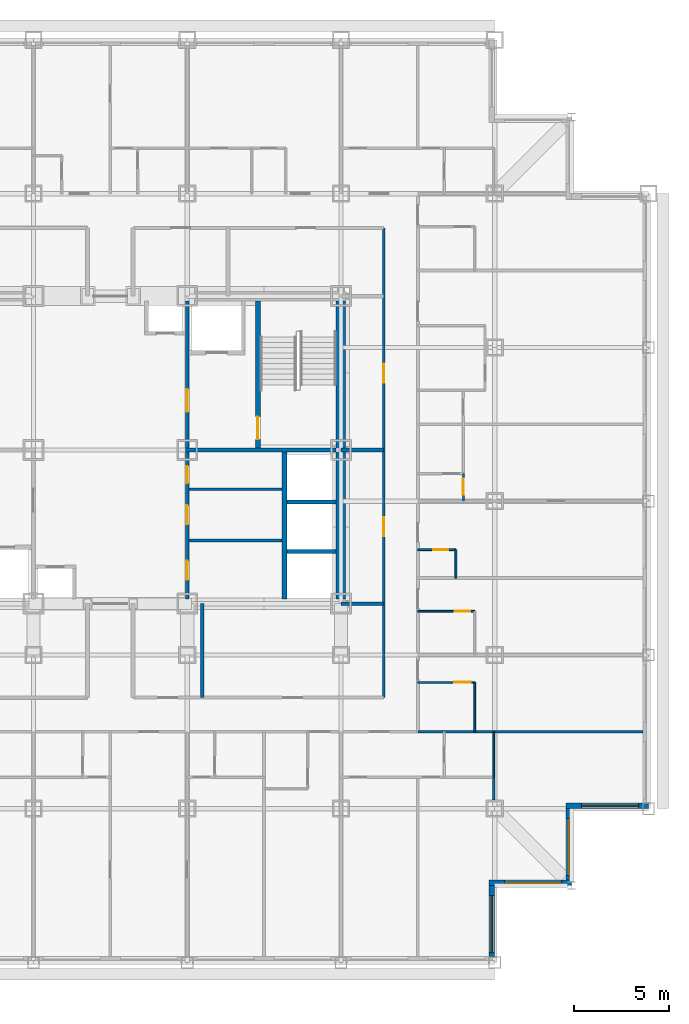
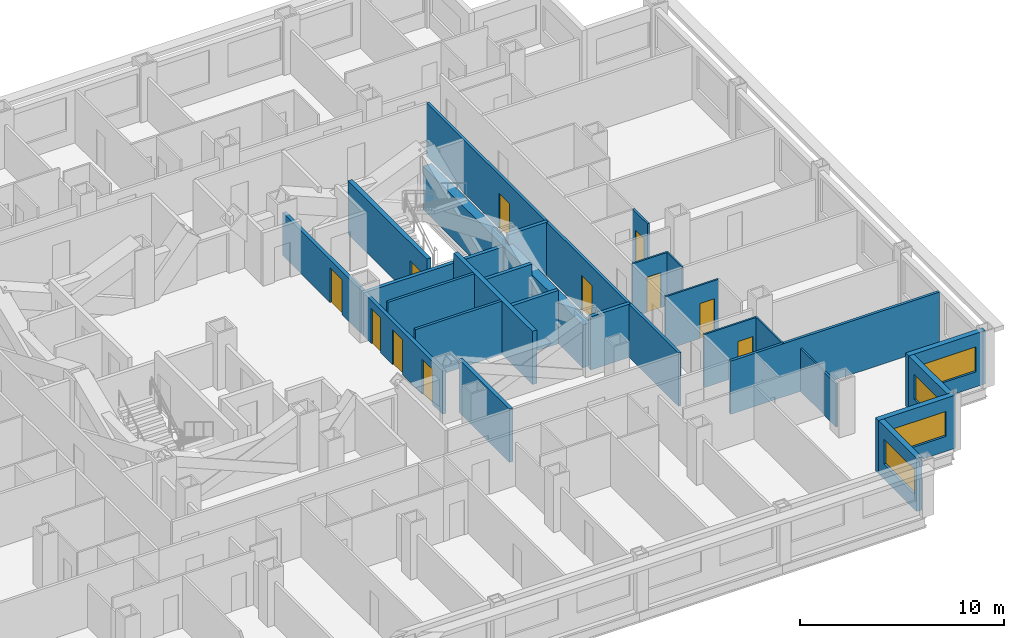
# One storey, part 7 of 12: 27 walls, 11 doors, 4 windows, 15 openings.
"""IFC4 building model written with IfcOpenShell, lengths in metres."""

from ifc_helpers import new_model, si_unit, direction, frame, frame_2d, origin, place, context, subcontext, project, spatial, rectangle, extrude, material, layer, layer_set, type_object, element, fill, save


model = new_model("IFC4")

# Units and contexts
model_context = context("Model", 3, precision=1e-05, world=origin(), true_north=direction((0.0, 1.0)))
body_context = subcontext(model_context, "Body", "Model", "MODEL_VIEW")
ifc_project = project(units=[si_unit("LENGTHUNIT", "METRE"), si_unit("AREAUNIT", "SQUARE_METRE"), si_unit("VOLUMEUNIT", "CUBIC_METRE"), si_unit("PLANEANGLEUNIT", "RADIAN"), si_unit("MASSUNIT", "GRAM", prefix="KILO")], contexts=[model_context])

# Site, building, storey
site_placement = place(None, origin())
site = spatial("IfcSite", under=ifc_project, at=site_placement, CompositionType="ELEMENT")
building_placement = place(site_placement, origin())
building = spatial("IfcBuilding", under=site, at=building_placement, Name="Kopane Lantern Tower", CompositionType="ELEMENT")
storey_placement = place(building_placement, frame((0.0, 0.0, 117.0)))
storey = spatial("IfcBuildingStorey", under=building, at=storey_placement, Name="L29", CompositionType="ELEMENT", Elevation=117.0)

# Wall, opening, door
ifc_material_1 = material(Name="Gypsum board on steel studs", Category="steel")
ifc_layer_1 = layer(ifc_material_1, 0.1201171875)
ifc_layer_set_1 = layer_set([ifc_layer_1], Name="APARTMENT INTERNAL WALL 120")
wall_type_1 = type_object("IfcWallType", Name="APARTMENT INTERNAL WALL 120", PredefinedType="PARTITIONING", material=ifc_layer_set_1)
wall_1_placement = place(storey_placement, frame((46.949951171875, 31.159912109375, 0.0), z_axis=(0.0, 0.0, 1.0), x_axis=(0.0, -1.0, 0.0)))
wall_1 = element("IfcWall", 1, at=wall_1_placement, inside=storey, type_object=wall_type_1, Name="Apartment Internal Wall 120 L29", PredefinedType="PARTITIONING", context=body_context, shape_type="SweptSolid", body=[
    extrude(rectangle(XDim=1.4599609375, YDim=0.1201171875, at=frame_2d((0.72998046875, 0.0))), origin(), (0.0, 0.0, 1.0), 3.18994140625),
])
opening_1_placement = place(wall_1_placement, frame((0.27490234375, 0.0, 0.0)))
opening_1 = element("IfcOpeningElement", 2, at=opening_1_placement, cuts=wall_1, Name="Opening L29-080", PredefinedType="OPENING", context=body_context, shape_type="SweptSolid", body=[
    extrude(rectangle(XDim=0.85009765625, YDim=2.10009765625, at=frame_2d((0.425048828125, 1.050048828125))), frame((0.0, 0.070068359375, 0.0), z_axis=(0.0, -1.0, 0.0), x_axis=(1.0, 0.0, 0.0)), (0.0, 0.0, 1.0), 0.14013671875),
])
ifc_material_2 = material(Name="Timber door set", Category="wood")
door_type_1 = type_object("IfcDoorType", Name="DOOR D4 850x2100", OperationType="SINGLE_SWING_LEFT", PredefinedType="DOOR", material=ifc_material_2)
door_1_placement = place(opening_1_placement, origin())
door_1 = element("IfcDoor", 3, at=door_1_placement, inside=storey, type_object=door_type_1, Name="Door L29-080", OperationType="SINGLE_SWING_RIGHT", OverallHeight=2.10009765625, OverallWidth=0.85009765625, PredefinedType="DOOR", context=body_context, shape_type="SweptSolid", body=[
    extrude(rectangle(XDim=0.85009765625, YDim=2.10009765625, at=frame_2d((0.425048828125, 1.050048828125))), frame((0.0, 0.02490234375, 0.0), z_axis=(0.0, -1.0, 0.0), x_axis=(1.0, 0.0, 0.0)), (0.0, 0.0, 1.0), 0.050048828125),
])
fill(opening_1, door_1)

# Walls
wall_2_placement = place(storey_placement, frame((48.550048828125, 15.14990234375, 0.0), z_axis=(0.0, 0.0, 1.0), x_axis=(0.0, -1.0, 0.0)))
element("IfcWall", 4, at=wall_2_placement, inside=storey, type_object=wall_type_1, Name="Apartment Internal Wall 120 L29", PredefinedType="PARTITIONING", context=body_context, shape_type="SweptSolid", body=[
    extrude(rectangle(XDim=1.199951171875, YDim=0.1201171875, at=frame_2d((0.60009765625, 0.0))), origin(), (0.0, 0.0, 1.0), 2.577880859375),
])
ifc_material_3 = material(Name="Moisture-resistant board on steel studs", Category="steel")
ifc_layer_2 = layer(ifc_material_3, 0.10009765625)
ifc_layer_set_2 = layer_set([ifc_layer_2], Name="BATHROOM WALL 100")
wall_type_2 = type_object("IfcWallType", Name="BATHROOM WALL 100", PredefinedType="PARTITIONING", material=ifc_layer_set_2)
wall_3_placement = place(storey_placement, frame((47.550048828125, 17.550048828125, 0.0), z_axis=(0.0, 0.0, 1.0), x_axis=(0.0, 1.0, 0.0)))
element("IfcWall", 5, at=wall_3_placement, inside=storey, type_object=wall_type_2, Name="Bathroom Wall 100 L29", PredefinedType="PARTITIONING", context=body_context, shape_type="SweptSolid", body=[
    extrude(rectangle(XDim=2.599853515625, YDim=0.10009765625, at=frame_2d((1.2998046875, 0.0))), origin(), (0.0, 0.0, 1.0), 3.18994140625),
])

# Wall, opening, door
wall_4_placement = place(storey_placement, frame((44.550048828125, 20.14990234375, 0.0), z_axis=(0.0, 0.0, 1.0), x_axis=(1.0, 0.0, 0.0)))
wall_4 = element("IfcWall", 6, at=wall_4_placement, inside=storey, type_object=wall_type_2, Name="Bathroom Wall 100 L29", PredefinedType="PARTITIONING", context=body_context, shape_type="SweptSolid", body=[
    extrude(rectangle(XDim=3.0, YDim=0.10009765625, at=frame_2d((1.5, 0.0))), origin(), (0.0, 0.0, 1.0), 3.18994140625),
])
opening_2_placement = place(wall_4_placement, frame((1.925048828125, 0.0, 0.0)))
opening_2 = element("IfcOpeningElement", 7, at=opening_2_placement, cuts=wall_4, Name="Opening L29-046", PredefinedType="OPENING", context=body_context, shape_type="SweptSolid", body=[
    extrude(rectangle(XDim=0.85009765625, YDim=2.10009765625, at=frame_2d((0.425048828125, 1.050048828125))), frame((0.0, 0.06005859375, 0.0), z_axis=(0.0, -1.0, 0.0), x_axis=(1.0, 0.0, 0.0)), (0.0, 0.0, 1.0), 0.1201171875),
])
door_2_placement = place(opening_2_placement, origin())
door_2 = element("IfcDoor", 8, at=door_2_placement, inside=storey, type_object=door_type_1, Name="Door L29-046", OperationType="SINGLE_SWING_LEFT", OverallHeight=2.10009765625, OverallWidth=0.85009765625, PredefinedType="DOOR", context=body_context, shape_type="SweptSolid", body=[
    extrude(rectangle(XDim=0.85009765625, YDim=2.10009765625, at=frame_2d((0.425048828125, 1.050048828125))), frame((0.0, 0.02490234375, 0.0), z_axis=(0.0, -1.0, 0.0), x_axis=(1.0, 0.0, 0.0)), (0.0, 0.0, 1.0), 0.050048828125),
])
fill(opening_2, door_2)

wall_5_placement = place(storey_placement, frame((44.550048828125, 23.89990234375, 0.0), z_axis=(0.0, 0.0, 1.0), x_axis=(1.0, 0.0, 0.0)))
wall_5 = element("IfcWall", 9, at=wall_5_placement, inside=storey, type_object=wall_type_2, Name="Bathroom Wall 100 L29", PredefinedType="PARTITIONING", context=body_context, shape_type="SweptSolid", body=[
    extrude(rectangle(XDim=3.0, YDim=0.10009765625, at=frame_2d((1.5, 0.0))), origin(), (0.0, 0.0, 1.0), 3.18994140625),
])
opening_3_placement = place(wall_5_placement, frame((1.949951171875, 0.0, 0.0)))
opening_3 = element("IfcOpeningElement", 10, at=opening_3_placement, cuts=wall_5, Name="Opening L29-048", PredefinedType="OPENING", context=body_context, shape_type="SweptSolid", body=[
    extrude(rectangle(XDim=0.800048828125, YDim=2.10009765625, at=frame_2d((0.39990234375, 1.050048828125))), frame((0.0, 0.06005859375, 0.0), z_axis=(0.0, -1.0, 0.0), x_axis=(1.0, 0.0, 0.0)), (0.0, 0.0, 1.0), 0.1201171875),
])
ifc_material_4 = material(Name="Timber door set", Category="wood")
door_type_2 = type_object("IfcDoorType", Name="DOOR D2 800x2100", OperationType="SINGLE_SWING_LEFT", PredefinedType="DOOR", material=ifc_material_4)
door_3_placement = place(opening_3_placement, origin())
door_3 = element("IfcDoor", 11, at=door_3_placement, inside=storey, type_object=door_type_2, Name="Door L29-048", OperationType="SINGLE_SWING_LEFT", OverallHeight=2.10009765625, OverallWidth=0.800048828125, PredefinedType="DOOR", context=body_context, shape_type="SweptSolid", body=[
    extrude(rectangle(XDim=0.800048828125, YDim=2.10009765625, at=frame_2d((0.39990234375, 1.050048828125))), frame((0.0, 0.02490234375, 0.0), z_axis=(0.0, -1.0, 0.0), x_axis=(1.0, 0.0, 0.0)), (0.0, 0.0, 1.0), 0.050048828125),
])
fill(opening_3, door_3)

# Wall
wall_6_placement = place(storey_placement, frame((46.550048828125, 25.64990234375, 0.0), z_axis=(0.0, 0.0, 1.0), x_axis=(0.0, 1.0, 0.0)))
element("IfcWall", 12, at=wall_6_placement, inside=storey, type_object=wall_type_2, Name="Bathroom Wall 100 L29", PredefinedType="PARTITIONING", context=body_context, shape_type="SweptSolid", body=[
    extrude(rectangle(XDim=1.5, YDim=0.10009765625, at=frame_2d((0.75, 0.0))), origin(), (0.0, 0.0, 1.0), 3.18994140625),
])

# Wall, opening, door
wall_7_placement = place(storey_placement, frame((44.550048828125, 27.14990234375, 0.0), z_axis=(0.0, 0.0, 1.0), x_axis=(1.0, 0.0, 0.0)))
wall_7 = element("IfcWall", 13, at=wall_7_placement, inside=storey, type_object=wall_type_2, Name="Bathroom Wall 100 L29", PredefinedType="PARTITIONING", context=body_context, shape_type="SweptSolid", body=[
    extrude(rectangle(XDim=2.0, YDim=0.10009765625, at=frame_2d((1.0, 0.0))), origin(), (0.0, 0.0, 1.0), 3.18994140625),
])
opening_4_placement = place(wall_7_placement, frame((0.800048828125, 0.0, 0.0)))
opening_4 = element("IfcOpeningElement", 14, at=opening_4_placement, cuts=wall_7, Name="Opening L29-050", PredefinedType="OPENING", context=body_context, shape_type="SweptSolid", body=[
    extrude(rectangle(XDim=0.800048828125, YDim=2.10009765625, at=frame_2d((0.39990234375, 1.050048828125))), frame((0.0, 0.06005859375, 0.0), z_axis=(0.0, -1.0, 0.0), x_axis=(1.0, 0.0, 0.0)), (0.0, 0.0, 1.0), 0.1201171875),
])
door_4_placement = place(opening_4_placement, origin())
door_4 = element("IfcDoor", 15, at=door_4_placement, inside=storey, type_object=door_type_2, Name="Door L29-050", OperationType="SINGLE_SWING_LEFT", OverallHeight=2.10009765625, OverallWidth=0.800048828125, PredefinedType="DOOR", context=body_context, shape_type="SweptSolid", body=[
    extrude(rectangle(XDim=0.800048828125, YDim=2.10009765625, at=frame_2d((0.39990234375, 1.050048828125))), frame((0.0, 0.02490234375, 0.0), z_axis=(0.0, -1.0, 0.0), x_axis=(1.0, 0.0, 0.0)), (0.0, 0.0, 1.0), 0.050048828125),
])
fill(opening_4, door_4)

# Walls
wall_8_placement = place(storey_placement, frame((48.550048828125, 17.550048828125, 0.0), z_axis=(0.0, 0.0, 1.0), x_axis=(0.0, -1.0, 0.0)))
element("IfcWall", 16, at=wall_8_placement, inside=storey, type_object=wall_type_2, Name="Bathroom Wall 100 L29", PredefinedType="PARTITIONING", context=body_context, shape_type="SweptSolid", body=[
    extrude(rectangle(XDim=2.400146484375, YDim=0.10009765625, at=frame_2d((1.2001953125, 0.0))), origin(), (0.0, 0.0, 1.0), 2.577880859375),
])
ifc_material_5 = material(Name="Gypsum shaft wall EI 120", Category="gypsum")
ifc_layer_3 = layer(ifc_material_5, 0.5)
ifc_layer_set_3 = layer_set([ifc_layer_3], Name="CORE PERIMETER WALL 500 EI 120")
wall_type_3 = type_object("IfcWallType", Name="CORE PERIMETER WALL 500 EI 120", PredefinedType="SOLIDWALL", material=ifc_layer_set_3)
wall_9_placement = place(storey_placement, frame((40.5, 24.550048828125, 0.0), z_axis=(0.0, 0.0, 1.0), x_axis=(0.0, 1.0, 0.0)))
element("IfcWall", 17, at=wall_9_placement, inside=storey, type_object=wall_type_3, Name="Core shaft wall L29 PE", PredefinedType="SOLIDWALL", context=body_context, shape_type="SweptSolid", body=[
    extrude(rectangle(XDim=15.699951171875, YDim=0.5, at=frame_2d((7.85009765625, 0.0))), origin(), (0.0, 0.0, 1.0), 2.577880859375),
])
ifc_material_6 = material(Name="Gypsum partition EI 60", Category="gypsum")
ifc_layer_4 = layer(ifc_material_6, 0.14990234375)
ifc_layer_set_4 = layer_set([ifc_layer_4], Name="CORE ROOM PARTITION 150 EI 60")
wall_type_4 = type_object("IfcWallType", Name="CORE ROOM PARTITION 150 EI 60", PredefinedType="PARTITIONING", material=ifc_layer_set_4)
for number, where, z_axis, x_axis, name in (
    (18, (32.5, 27.625, 0.0), (0.0, 0.0, 1.0), (1.0, 0.0, 0.0), "Core room partition L29 E1"),
    (19, (32.5, 30.324951171875, 0.0), (0.0, 0.0, 1.0), (1.0, 0.0, 0.0), "Core room partition L29 E2"),
):
    element("IfcWall", number, at=place(storey_placement, frame(where, z_axis=z_axis, x_axis=x_axis)), inside=storey, type_object=wall_type_4, Name=name, PredefinedType="PARTITIONING", context=body_context, shape_type="SweptSolid", body=[
        extrude(rectangle(XDim=4.89990234375, YDim=0.14990234375, at=frame_2d((2.449951171875, 0.0))), origin(), (0.0, 0.0, 1.0), 3.18994140625),
    ])

# Wall, openings, doors
ifc_material_7 = material(Name="Gypsum partition EI 60", Category="gypsum")
ifc_layer_5 = layer(ifc_material_7, 0.199951171875)
ifc_layer_set_5 = layer_set([ifc_layer_5], Name="CORE ROOM WALL 200 EI 60")
wall_type_5 = type_object("IfcWallType", Name="CORE ROOM WALL 200 EI 60", PredefinedType="PARTITIONING", material=ifc_layer_set_5)
wall_10_placement = place(storey_placement, frame((32.39990234375, 24.550048828125, 0.0), z_axis=(0.0, 0.0, 1.0), x_axis=(0.0, 1.0, 0.0)))
wall_10 = element("IfcWall", 20, at=wall_10_placement, inside=storey, type_object=wall_type_5, Name="Core room wall L29 XE", PredefinedType="PARTITIONING", context=body_context, shape_type="SweptSolid", body=[
    extrude(rectangle(XDim=7.75, YDim=0.199951171875, at=frame_2d((3.875, 0.0))), origin(), (0.0, 0.0, 1.0), 2.577880859375),
])
opening_5_placement = place(wall_10_placement, frame((1.0, 0.0, 0.0)))
opening_5 = element("IfcOpeningElement", 21, at=opening_5_placement, cuts=wall_10, Name="Opening 29.C20", PredefinedType="OPENING", context=body_context, shape_type="SweptSolid", body=[
    extrude(rectangle(XDim=1.0, YDim=2.10009765625, at=frame_2d((0.5, 1.050048828125))), frame((0.0, 0.10986328125, 0.0), z_axis=(0.0, -1.0, 0.0), x_axis=(1.0, 0.0, 0.0)), (0.0, 0.0, 1.0), 0.219970703125),
])
opening_6_placement = place(wall_10_placement, frame((3.925048828125, 0.0, 0.0)))
opening_6 = element("IfcOpeningElement", 22, at=opening_6_placement, cuts=wall_10, Name="Opening 29.C21", PredefinedType="OPENING", context=body_context, shape_type="SweptSolid", body=[
    extrude(rectangle(XDim=1.0, YDim=2.10009765625, at=frame_2d((0.5, 1.050048828125))), frame((0.0, 0.10986328125, 0.0), z_axis=(0.0, -1.0, 0.0), x_axis=(1.0, 0.0, 0.0)), (0.0, 0.0, 1.0), 0.219970703125),
])
opening_7_placement = place(wall_10_placement, frame((6.10009765625, 0.0, 0.0)))
opening_7 = element("IfcOpeningElement", 23, at=opening_7_placement, cuts=wall_10, Name="Opening 29.C22", PredefinedType="OPENING", context=body_context, shape_type="SweptSolid", body=[
    extrude(rectangle(XDim=0.89990234375, YDim=2.10009765625, at=frame_2d((0.449951171875, 1.050048828125))), frame((0.0, 0.10986328125, 0.0), z_axis=(0.0, -1.0, 0.0), x_axis=(1.0, 0.0, 0.0)), (0.0, 0.0, 1.0), 0.219970703125),
])
ifc_material_8 = material(Name="Steel door set", Category="steel")
door_type_3 = type_object("IfcDoorType", Name="CORE ROOM DOOR 1000x2100 FD30S", OperationType="SINGLE_SWING_RIGHT", PredefinedType="DOOR", material=ifc_material_8)
door_5_placement = place(opening_5_placement, origin())
door_5 = element("IfcDoor", 24, at=door_5_placement, inside=storey, type_object=door_type_3, Name="Door Butler pantry L29", OperationType="SINGLE_SWING_LEFT", OverallHeight=2.10009765625, OverallWidth=1.0, PredefinedType="DOOR", context=body_context, shape_type="SweptSolid", body=[
    extrude(rectangle(XDim=1.0, YDim=2.10009765625, at=frame_2d((0.5, 1.050048828125))), frame((0.0, 0.02490234375, 0.0), z_axis=(0.0, -1.0, 0.0), x_axis=(1.0, 0.0, 0.0)), (0.0, 0.0, 1.0), 0.050048828125),
])
fill(opening_5, door_5)
door_6_placement = place(opening_6_placement, origin())
door_6 = element("IfcDoor", 25, at=door_6_placement, inside=storey, type_object=door_type_3, Name="Door Ice and vending room L29", OperationType="SINGLE_SWING_LEFT", OverallHeight=2.10009765625, OverallWidth=1.0, PredefinedType="DOOR", context=body_context, shape_type="SweptSolid", body=[
    extrude(rectangle(XDim=1.0, YDim=2.10009765625, at=frame_2d((0.5, 1.050048828125))), frame((0.0, 0.02490234375, 0.0), z_axis=(0.0, -1.0, 0.0), x_axis=(1.0, 0.0, 0.0)), (0.0, 0.0, 1.0), 0.050048828125),
])
fill(opening_6, door_6)
ifc_material_9 = material(Name="Steel door set", Category="steel")
door_type_4 = type_object("IfcDoorType", Name="CORE ROOM DOOR 900x2100 FD60", OperationType="SINGLE_SWING_LEFT", PredefinedType="DOOR", material=ifc_material_9)
door_7_placement = place(opening_7_placement, origin())
door_7 = element("IfcDoor", 26, at=door_7_placement, inside=storey, type_object=door_type_4, Name="Door IT room L29", OperationType="SINGLE_SWING_RIGHT", OverallHeight=2.10009765625, OverallWidth=0.89990234375, PredefinedType="DOOR", context=body_context, shape_type="SweptSolid", body=[
    extrude(rectangle(XDim=0.89990234375, YDim=2.10009765625, at=frame_2d((0.449951171875, 1.050048828125))), frame((0.0, 0.02490234375, 0.0), z_axis=(0.0, -1.0, 0.0), x_axis=(1.0, 0.0, 0.0)), (0.0, 0.0, 1.0), 0.050048828125),
])
fill(opening_7, door_7)

# Wall
ifc_material_10 = material(Name="Gypsum shaft wall EI 120", Category="gypsum")
ifc_layer_6 = layer(ifc_material_10, 0.25)
ifc_layer_set_6 = layer_set([ifc_layer_6], Name="CORE SHAFT WALL 250 EI 120")
wall_type_6 = type_object("IfcWallType", Name="CORE SHAFT WALL 250 EI 120", PredefinedType="SOLIDWALL", material=ifc_layer_set_6)
wall_11_placement = place(storey_placement, frame((37.52490234375, 24.550048828125, 0.0), z_axis=(0.0, 0.0, 1.0), x_axis=(0.0, 1.0, 0.0)))
element("IfcWall", 27, at=wall_11_placement, inside=storey, type_object=wall_type_6, Name="Core shaft wall L29 XLR", PredefinedType="SOLIDWALL", context=body_context, shape_type="SweptSolid", body=[
    extrude(rectangle(XDim=7.75, YDim=0.25, at=frame_2d((3.875, 0.0))), origin(), (0.0, 0.0, 1.0), 3.18994140625),
])

# Wall, opening, door
wall_12_placement = place(storey_placement, frame((36.125, 32.5, 0.0), z_axis=(0.0, 0.0, 1.0), x_axis=(0.0, 1.0, 0.0)))
wall_12 = element("IfcWall", 28, at=wall_12_placement, inside=storey, type_object=wall_type_6, Name="Core shaft wall L29 XST2", PredefinedType="SOLIDWALL", context=body_context, shape_type="SweptSolid", body=[
    extrude(rectangle(XDim=7.75, YDim=0.25, at=frame_2d((3.875, 0.0))), origin(), (0.0, 0.0, 1.0), 3.18994140625),
])
opening_8_placement = place(wall_12_placement, frame((0.449951171875, 0.0, 0.0)))
opening_8 = element("IfcOpeningElement", 29, at=opening_8_placement, cuts=wall_12, Name="Opening 29.SD2", PredefinedType="OPENING", context=body_context, shape_type="SweptSolid", body=[
    extrude(rectangle(XDim=1.199951171875, YDim=2.10009765625, at=frame_2d((0.60009765625, 1.050048828125))), frame((0.0, 0.135009765625, 0.0), z_axis=(0.0, -1.0, 0.0), x_axis=(1.0, 0.0, 0.0)), (0.0, 0.0, 1.0), 0.27001953125),
])
ifc_material_11 = material(Name="Steel door set", Category="steel")
door_type_5 = type_object("IfcDoorType", Name="STAIR DOOR 1200x2100 FD60S", OperationType="SINGLE_SWING_LEFT", PredefinedType="DOOR", material=ifc_material_11)
door_8_placement = place(opening_8_placement, origin())
door_8 = element("IfcDoor", 30, at=door_8_placement, inside=storey, type_object=door_type_5, Name="Stair door ST2 L29", OperationType="SINGLE_SWING_RIGHT", OverallHeight=2.10009765625, OverallWidth=1.199951171875, PredefinedType="DOOR", context=body_context, shape_type="SweptSolid", body=[
    extrude(rectangle(XDim=1.199951171875, YDim=2.10009765625, at=frame_2d((0.60009765625, 1.050048828125))), frame((0.0, 0.02490234375, 0.0), z_axis=(0.0, -1.0, 0.0), x_axis=(1.0, 0.0, 0.0)), (0.0, 0.0, 1.0), 0.050048828125),
])
fill(opening_8, door_8)

# Wall, openings, doors
ifc_material_12 = material(Name="Gypsum board on steel studs", Category="steel")
ifc_layer_7 = layer(ifc_material_12, 0.14990234375)
ifc_layer_set_7 = layer_set([ifc_layer_7], Name="CORRIDOR WALL 150 EI 60")
wall_type_7 = type_object("IfcWallType", Name="CORRIDOR WALL 150 EI 60", PredefinedType="PARTITIONING", material=ifc_layer_set_7)
wall_13_placement = place(storey_placement, frame((42.75, 19.35009765625, 0.0), z_axis=(0.0, 0.0, 1.0), x_axis=(0.0, 1.0, 0.0)))
wall_13 = element("IfcWall", 31, at=wall_13_placement, inside=storey, type_object=wall_type_7, Name="Corridor Wall 150 Ei 60 L29", PredefinedType="PARTITIONING", context=body_context, shape_type="SweptSolid", body=[
    extrude(rectangle(XDim=24.75, YDim=0.14990234375, at=frame_2d((12.375, 0.0))), origin(), (0.0, 0.0, 1.0), 3.18994140625),
])
opening_9_placement = place(wall_13_placement, frame((8.5, 0.0, 0.0)))
opening_9 = element("IfcOpeningElement", 32, at=opening_9_placement, cuts=wall_13, Name="Opening L29-003", PredefinedType="OPENING", context=body_context, shape_type="SweptSolid", body=[
    extrude(rectangle(XDim=1.0, YDim=2.10009765625, at=frame_2d((0.5, 1.050048828125))), frame((0.0, 0.0849609375, 0.0), z_axis=(0.0, -1.0, 0.0), x_axis=(1.0, 0.0, 0.0)), (0.0, 0.0, 1.0), 0.169921875),
])
opening_10_placement = place(wall_13_placement, frame((16.60009765625, 0.0, 0.0)))
opening_10 = element("IfcOpeningElement", 33, at=opening_10_placement, cuts=wall_13, Name="Opening L29-004", PredefinedType="OPENING", context=body_context, shape_type="SweptSolid", body=[
    extrude(rectangle(XDim=1.0, YDim=2.10009765625, at=frame_2d((0.5, 1.050048828125))), frame((0.0, 0.0849609375, 0.0), z_axis=(0.0, -1.0, 0.0), x_axis=(1.0, 0.0, 0.0)), (0.0, 0.0, 1.0), 0.169921875),
])
ifc_material_13 = material(Name="Steel door set", Category="steel")
door_type_6 = type_object("IfcDoorType", Name="DOOR D5 1000x2100 FD60", OperationType="SINGLE_SWING_LEFT", PredefinedType="DOOR", material=ifc_material_13)
door_9_placement = place(opening_9_placement, origin())
door_9 = element("IfcDoor", 34, at=door_9_placement, inside=storey, type_object=door_type_6, Name="Door L29-003", OperationType="SINGLE_SWING_LEFT", OverallHeight=2.10009765625, OverallWidth=1.0, PredefinedType="DOOR", context=body_context, shape_type="SweptSolid", body=[
    extrude(rectangle(XDim=1.0, YDim=2.10009765625, at=frame_2d((0.5, 1.050048828125))), frame((0.0, 0.02490234375, 0.0), z_axis=(0.0, -1.0, 0.0), x_axis=(1.0, 0.0, 0.0)), (0.0, 0.0, 1.0), 0.050048828125),
])
fill(opening_9, door_9)
door_10_placement = place(opening_10_placement, origin())
door_10 = element("IfcDoor", 35, at=door_10_placement, inside=storey, type_object=door_type_6, Name="Door L29-004", OperationType="SINGLE_SWING_RIGHT", OverallHeight=2.10009765625, OverallWidth=1.0, PredefinedType="DOOR", context=body_context, shape_type="SweptSolid", body=[
    extrude(rectangle(XDim=1.0, YDim=2.10009765625, at=frame_2d((0.5, 1.050048828125))), frame((0.0, 0.02490234375, 0.0), z_axis=(0.0, -1.0, 0.0), x_axis=(1.0, 0.0, 0.0)), (0.0, 0.0, 1.0), 0.050048828125),
])
fill(opening_10, door_10)

# Wall
ifc_material_14 = material(Name="Gypsum board on steel studs", Category="steel")
ifc_layer_8 = layer(ifc_material_14, 0.14990234375)
ifc_layer_set_8 = layer_set([ifc_layer_8], Name="DEMISING WALL 150 EI 60")
wall_type_8 = type_object("IfcWallType", Name="DEMISING WALL 150 EI 60", PredefinedType="PARTITIONING", material=ifc_layer_set_8)
wall_14_placement = place(storey_placement, frame((44.550048828125, 17.550048828125, 0.0), z_axis=(0.0, 0.0, 1.0), x_axis=(1.0, 0.0, 0.0)))
element("IfcWall", 36, at=wall_14_placement, inside=storey, type_object=wall_type_8, Name="Demising Wall 150 Ei 60 L29", PredefinedType="PARTITIONING", context=body_context, shape_type="SweptSolid", body=[
    extrude(rectangle(XDim=11.849853515625, YDim=0.14990234375, at=frame_2d((5.9248046875, 0.0))), origin(), (0.0, 0.0, 1.0), 3.18994140625),
])

# Wall, opening, window
ifc_material_15 = material(Name="Terracotta rainscreen on light steel framing", Category="masonry")
ifc_layer_9 = layer(ifc_material_15, 0.300048828125)
ifc_layer_set_9 = layer_set([ifc_layer_9], Name="EXTERNAL WALL EW1 300 TERRACOTTA")
wall_type_9 = type_object("IfcWallType", Name="EXTERNAL WALL EW1 300 TERRACOTTA", PredefinedType="SOLIDWALL", material=ifc_layer_set_9)
wall_15_placement = place(storey_placement, frame((48.449951171875, 5.699951171875, 0.0), z_axis=(0.0, 0.0, 1.0), x_axis=(0.0, 1.0, 0.0)))
wall_15 = element("IfcWall", 37, at=wall_15_placement, inside=storey, type_object=wall_type_9, Name="External wall E L29", PredefinedType="SOLIDWALL", context=body_context, shape_type="SweptSolid", body=[
    extrude(rectangle(XDim=3.75, YDim=0.300048828125, at=frame_2d((1.875, 0.0))), origin(), (0.0, 0.0, 1.0), 3.18994140625),
])
opening_11_placement = place(wall_15_placement, frame((0.22509765625, 0.0, 0.89990234375)))
opening_11 = element("IfcOpeningElement", 38, at=opening_11_placement, cuts=wall_15, Name="Opening WR300150", PredefinedType="OPENING", context=body_context, shape_type="SweptSolid", body=[
    extrude(rectangle(XDim=3.0, YDim=1.5, at=frame_2d((1.5, 0.75))), frame((0.0, 0.159912109375, 0.0), z_axis=(0.0, -1.0, 0.0), x_axis=(1.0, 0.0, 0.0)), (0.0, 0.0, 1.0), 0.320068359375),
])
ifc_material_16 = material(Name="Aluminium and clear glass", Category="aluminium")
window_type = type_object("IfcWindowType", Name="RIBBON WINDOW WR300150 3000x1500", PartitioningType="SINGLE_PANEL", PredefinedType="WINDOW", material=ifc_material_16)
window_1_placement = place(opening_11_placement, origin())
window_1 = element("IfcWindow", 39, at=window_1_placement, inside=storey, type_object=window_type, Name="Window E L29", OverallHeight=1.5, OverallWidth=3.0, PartitioningType="SINGLE_PANEL", PredefinedType="WINDOW", context=body_context, shape_type="SweptSolid", body=[
    extrude(rectangle(XDim=3.0, YDim=1.5, at=frame_2d((1.5, 0.75))), frame((0.0, 0.030029296875, 0.0), z_axis=(0.0, -1.0, 0.0), x_axis=(1.0, 0.0, 0.0)), (0.0, 0.0, 1.0), 0.06005859375),
])
fill(opening_11, window_1)

wall_16_placement = place(storey_placement, frame((48.300048828125, 9.60009765625, 0.0), z_axis=(0.0, 0.0, 1.0), x_axis=(1.0, 0.0, 0.0)))
wall_16 = element("IfcWall", 40, at=wall_16_placement, inside=storey, type_object=wall_type_9, Name="External wall S L29", PredefinedType="SOLIDWALL", context=body_context, shape_type="SweptSolid", body=[
    extrude(rectangle(XDim=4.349853515625, YDim=0.300048828125, at=frame_2d((2.1748046875, 0.0))), origin(), (0.0, 0.0, 1.0), 3.18994140625),
])
opening_12_placement = place(wall_16_placement, frame((0.824951171875, 0.0, 0.89990234375)))
opening_12 = element("IfcOpeningElement", 41, at=opening_12_placement, cuts=wall_16, Name="Opening WR300150", PredefinedType="OPENING", context=body_context, shape_type="SweptSolid", body=[
    extrude(rectangle(XDim=3.0, YDim=1.5, at=frame_2d((1.5, 0.75))), frame((0.0, 0.159912109375, 0.0), z_axis=(0.0, -1.0, 0.0), x_axis=(1.0, 0.0, 0.0)), (0.0, 0.0, 1.0), 0.320068359375),
])
window_2_placement = place(opening_12_placement, origin())
window_2 = element("IfcWindow", 42, at=window_2_placement, inside=storey, type_object=window_type, Name="Window S L29", OverallHeight=1.5, OverallWidth=3.0, PartitioningType="SINGLE_PANEL", PredefinedType="WINDOW", context=body_context, shape_type="SweptSolid", body=[
    extrude(rectangle(XDim=3.0, YDim=1.5, at=frame_2d((1.5, 0.75))), frame((0.0, 0.030029296875, 0.0), z_axis=(0.0, -1.0, 0.0), x_axis=(1.0, 0.0, 0.0)), (0.0, 0.0, 1.0), 0.06005859375),
])
fill(opening_12, window_2)

wall_17_placement = place(storey_placement, frame((52.5, 9.75, 0.0), z_axis=(0.0, 0.0, 1.0), x_axis=(0.0, 1.0, 0.0)))
wall_17 = element("IfcWall", 43, at=wall_17_placement, inside=storey, type_object=wall_type_9, Name="External wall E L29", PredefinedType="SOLIDWALL", context=body_context, shape_type="SweptSolid", body=[
    extrude(rectangle(XDim=3.75, YDim=0.300048828125, at=frame_2d((1.875, 0.0))), origin(), (0.0, 0.0, 1.0), 3.18994140625),
])
opening_13_placement = place(wall_17_placement, frame((0.22509765625, 0.0, 0.89990234375)))
opening_13 = element("IfcOpeningElement", 44, at=opening_13_placement, cuts=wall_17, Name="Opening WR300150", PredefinedType="OPENING", context=body_context, shape_type="SweptSolid", body=[
    extrude(rectangle(XDim=3.0, YDim=1.5, at=frame_2d((1.5, 0.75))), frame((0.0, 0.159912109375, 0.0), z_axis=(0.0, -1.0, 0.0), x_axis=(1.0, 0.0, 0.0)), (0.0, 0.0, 1.0), 0.320068359375),
])
window_3_placement = place(opening_13_placement, origin())
window_3 = element("IfcWindow", 45, at=window_3_placement, inside=storey, type_object=window_type, Name="Window E L29", OverallHeight=1.5, OverallWidth=3.0, PartitioningType="SINGLE_PANEL", PredefinedType="WINDOW", context=body_context, shape_type="SweptSolid", body=[
    extrude(rectangle(XDim=3.0, YDim=1.5, at=frame_2d((1.5, 0.75))), frame((0.0, 0.030029296875, 0.0), z_axis=(0.0, -1.0, 0.0), x_axis=(1.0, 0.0, 0.0)), (0.0, 0.0, 1.0), 0.06005859375),
])
fill(opening_13, window_3)

wall_18_placement = place(storey_placement, frame((52.35009765625, 13.64990234375, 0.0), z_axis=(0.0, 0.0, 1.0), x_axis=(1.0, 0.0, 0.0)))
wall_18 = element("IfcWall", 46, at=wall_18_placement, inside=storey, type_object=wall_type_9, Name="External wall S L29", PredefinedType="SOLIDWALL", context=body_context, shape_type="SweptSolid", body=[
    extrude(rectangle(XDim=4.349853515625, YDim=0.300048828125, at=frame_2d((2.1748046875, 0.0))), origin(), (0.0, 0.0, 1.0), 3.18994140625),
])
opening_14_placement = place(wall_18_placement, frame((0.824951171875, 0.0, 0.89990234375)))
opening_14 = element("IfcOpeningElement", 47, at=opening_14_placement, cuts=wall_18, Name="Opening WR300150", PredefinedType="OPENING", context=body_context, shape_type="SweptSolid", body=[
    extrude(rectangle(XDim=3.0, YDim=1.5, at=frame_2d((1.5, 0.75))), frame((0.0, 0.159912109375, 0.0), z_axis=(0.0, -1.0, 0.0), x_axis=(1.0, 0.0, 0.0)), (0.0, 0.0, 1.0), 0.320068359375),
])
window_4_placement = place(opening_14_placement, origin())
window_4 = element("IfcWindow", 48, at=window_4_placement, inside=storey, type_object=window_type, Name="Window S L29", OverallHeight=1.5, OverallWidth=3.0, PartitioningType="SINGLE_PANEL", PredefinedType="WINDOW", context=body_context, shape_type="SweptSolid", body=[
    extrude(rectangle(XDim=3.0, YDim=1.5, at=frame_2d((1.5, 0.75))), frame((0.0, 0.030029296875, 0.0), z_axis=(0.0, -1.0, 0.0), x_axis=(1.0, 0.0, 0.0)), (0.0, 0.0, 1.0), 0.06005859375),
])
fill(opening_14, window_4)

# Walls
ifc_material_17 = material(Name="Concrete masonry", Category="masonry")
ifc_layer_10 = layer(ifc_material_17, 0.199951171875)
ifc_layer_set_10 = layer_set([ifc_layer_10], Name="PLANT ROOM WALL 200 EI 120")
wall_type_10 = type_object("IfcWallType", Name="PLANT ROOM WALL 200 EI 120", PredefinedType="SOLIDWALL", material=ifc_layer_set_10)
wall_19_placement = place(storey_placement, frame((40.5, 32.39990234375, 0.0), z_axis=(0.0, 0.0, 1.0), x_axis=(1.0, 0.0, 0.0)))
element("IfcWall", 49, at=wall_19_placement, inside=storey, type_object=wall_type_10, Name="Plant Room Wall 200 Ei 120 L29", PredefinedType="SOLIDWALL", context=body_context, shape_type="SweptSolid", body=[
    extrude(rectangle(XDim=2.25, YDim=0.199951171875, at=frame_2d((1.125, 0.0))), origin(), (0.0, 0.0, 1.0), 3.18994140625),
])
wall_20_placement = place(storey_placement, frame((33.186279296875, 19.35009765625, 0.0), z_axis=(0.0, 0.0, 1.0), x_axis=(0.0, 1.0, 0.0)))
element("IfcWall", 50, at=wall_20_placement, inside=storey, type_object=wall_type_10, Name="Plant Room Wall 200 Ei 120 L29", PredefinedType="SOLIDWALL", context=body_context, shape_type="SweptSolid", body=[
    extrude(rectangle(XDim=4.949951171875, YDim=0.199951171875, at=frame_2d((2.47509765625, 0.0))), origin(), (0.0, 0.0, 1.0), 3.18994140625),
])
wall_21_placement = place(storey_placement, frame((40.5, 24.300048828125, 0.0), z_axis=(0.0, 0.0, 1.0), x_axis=(1.0, 0.0, 0.0)))
element("IfcWall", 51, at=wall_21_placement, inside=storey, type_object=wall_type_10, Name="Plant Room Wall 200 Ei 120 L29", PredefinedType="SOLIDWALL", context=body_context, shape_type="SweptSolid", body=[
    extrude(rectangle(XDim=2.25, YDim=0.199951171875, at=frame_2d((1.125, 0.0))), origin(), (0.0, 0.0, 1.0), 3.18994140625),
])
ifc_material_18 = material(Name="Gypsum shaft wall EI 120", Category="gypsum")
ifc_layer_11 = layer(ifc_material_18, 0.199951171875)
ifc_layer_set_11 = layer_set([ifc_layer_11], Name="SHAFT WALL 200 EI 120")
wall_type_11 = type_object("IfcWallType", Name="SHAFT WALL 200 EI 120", PredefinedType="SOLIDWALL", material=ifc_layer_set_11)
wall_22_placement = place(storey_placement, frame((32.300048828125, 32.39990234375, 0.0), z_axis=(0.0, 0.0, 1.0), x_axis=(1.0, 0.0, 0.0)))
element("IfcWall", 52, at=wall_22_placement, inside=storey, type_object=wall_type_11, Name="Core shaft wall L29 Y324E", PredefinedType="SOLIDWALL", context=body_context, shape_type="SweptSolid", body=[
    extrude(rectangle(XDim=7.949951171875, YDim=0.199951171875, at=frame_2d((3.97509765625, 0.0))), origin(), (0.0, 0.0, 1.0), 2.577880859375),
])

# Wall, opening, door
wall_23_placement = place(storey_placement, frame((32.39990234375, 32.5, 0.0), z_axis=(0.0, 0.0, 1.0), x_axis=(0.0, 1.0, 0.0)))
wall_23 = element("IfcWall", 53, at=wall_23_placement, inside=storey, type_object=wall_type_11, Name="Core shaft wall L29 X324", PredefinedType="SOLIDWALL", context=body_context, shape_type="SweptSolid", body=[
    extrude(rectangle(XDim=7.75, YDim=0.199951171875, at=frame_2d((3.875, 0.0))), origin(), (0.0, 0.0, 1.0), 2.577880859375),
])
opening_15_placement = place(wall_23_placement, frame((1.89990234375, 0.0, 0.0)))
opening_15 = element("IfcOpeningElement", 54, at=opening_15_placement, cuts=wall_23, Name="Opening 29.FL2", PredefinedType="OPENING", context=body_context, shape_type="SweptSolid", body=[
    extrude(rectangle(XDim=1.199951171875, YDim=2.10009765625, at=frame_2d((0.60009765625, 1.050048828125))), frame((0.0, 0.10986328125, 0.0), z_axis=(0.0, -1.0, 0.0), x_axis=(1.0, 0.0, 0.0)), (0.0, 0.0, 1.0), 0.219970703125),
])
ifc_material_19 = material(Name="Steel door set", Category="steel")
door_type_7 = type_object("IfcDoorType", Name="FIREFIGHTING LOBBY DOOR 1200x2100 FD60S", OperationType="SINGLE_SWING_RIGHT", PredefinedType="DOOR", material=ifc_material_19)
door_11_placement = place(opening_15_placement, origin())
door_11 = element("IfcDoor", 55, at=door_11_placement, inside=storey, type_object=door_type_7, Name="Firefighting lobby door FL2 L29", OperationType="SINGLE_SWING_LEFT", OverallHeight=2.10009765625, OverallWidth=1.199951171875, PredefinedType="DOOR", context=body_context, shape_type="SweptSolid", body=[
    extrude(rectangle(XDim=1.199951171875, YDim=2.10009765625, at=frame_2d((0.60009765625, 1.050048828125))), frame((0.0, 0.02490234375, 0.0), z_axis=(0.0, -1.0, 0.0), x_axis=(1.0, 0.0, 0.0)), (0.0, 0.0, 1.0), 0.050048828125),
])
fill(opening_15, door_11)

# Walls
for number, where, z_axis, x_axis, name in (
    (56, (37.64990234375, 27.050048828125, 0.0), (0.0, 0.0, 1.0), (1.0, 0.0, 0.0), "Core shaft wall L29 YLR12"),
    (57, (37.64990234375, 29.64990234375, 0.0), (0.0, 0.0, 1.0), (1.0, 0.0, 0.0), "Core shaft wall L29 YLR23"),
):
    element("IfcWall", number, at=place(storey_placement, frame(where, z_axis=z_axis, x_axis=x_axis)), inside=storey, type_object=wall_type_11, Name=name, PredefinedType="SOLIDWALL", context=body_context, shape_type="SweptSolid", body=[
        extrude(rectangle(XDim=2.60009765625, YDim=0.199951171875, at=frame_2d((1.300048828125, 0.0))), origin(), (0.0, 0.0, 1.0), 3.18994140625),
    ])

save(model, "model.ifc")
